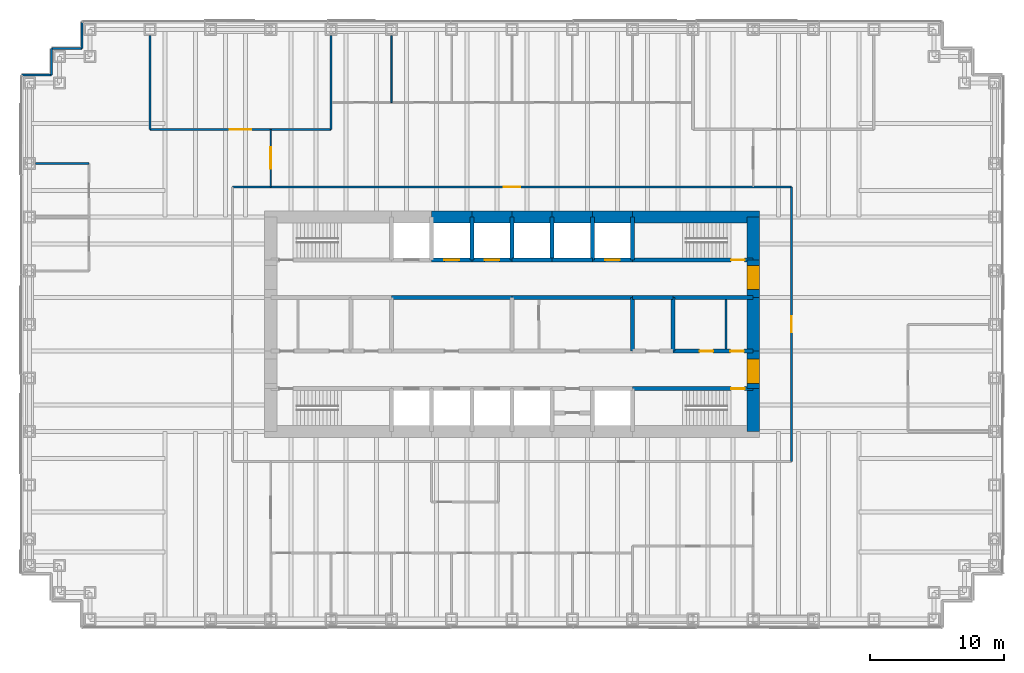
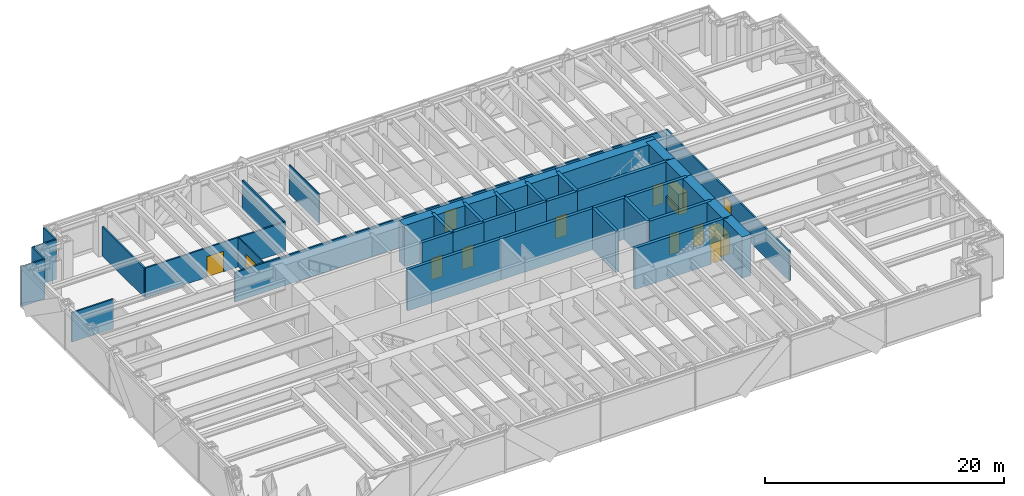
# One storey, part 13 of 15: 43 walls, 13 doors, 13 openings.
"""IFC4 building model written with IfcOpenShell, lengths in metres."""

from ifc_helpers import new_model, si_unit, direction, frame, frame_2d, origin, place, context, subcontext, project, spatial, rectangle, extrude, material, layer, layer_set, type_object, element, fill, save


model = new_model("IFC4")

# Units and contexts
model_context = context("Model", 3, precision=1e-05, world=origin(), true_north=direction((0.0, 1.0)))
body_context = subcontext(model_context, "Body", "Model", "MODEL_VIEW")
ifc_project = project(units=[si_unit("LENGTHUNIT", "METRE"), si_unit("AREAUNIT", "SQUARE_METRE"), si_unit("VOLUMEUNIT", "CUBIC_METRE"), si_unit("PLANEANGLEUNIT", "RADIAN"), si_unit("MASSUNIT", "GRAM", prefix="KILO")], contexts=[model_context])

# Site, building, storey
site_placement = place(None, origin())
site = spatial("IfcSite", under=ifc_project, at=site_placement, CompositionType="ELEMENT")
building_placement = place(site_placement, origin())
building = spatial("IfcBuilding", under=site, at=building_placement, Name="Rheinbord Bourse Tower", CompositionType="ELEMENT")
storey_placement = place(building_placement, frame((0.0, 0.0, 104.699951171875)))
storey = spatial("IfcBuildingStorey", under=building, at=storey_placement, Name="L22", CompositionType="ELEMENT", Elevation=104.699951171875)

# Wall, opening, door
ifc_material_1 = material(Name="Concrete C50/60", Category="concrete")
ifc_layer_1 = layer(ifc_material_1, 0.300048828125)
ifc_layer_set_1 = layer_set([ifc_layer_1], Name="CORE INNER WALL 300")
wall_type_1 = type_object("IfcWallType", Name="CORE INNER WALL 300", PredefinedType="SOLIDWALL", material=ifc_layer_set_1)
wall_1_placement = place(storey_placement, frame((45.0, 19.199951171875, 0.0), z_axis=(0.0, 0.0, 1.0), x_axis=(1.0, 0.0, 0.0)))
wall_1 = element("IfcWall", 1, at=wall_1_placement, inside=storey, type_object=wall_type_1, Name="Core wall A8 L22", PredefinedType="SOLIDWALL", context=body_context, shape_type="SweptSolid", body=[
    extrude(rectangle(XDim=9.0, YDim=0.300048828125, at=frame_2d((4.5, 0.0))), origin(), (0.0, 0.0, 1.0), 4.199951171875),
])
opening_1_placement = place(wall_1_placement, frame((7.35009765625, 0.0, 0.0)))
opening_1 = element("IfcOpeningElement", 2, at=opening_1_placement, cuts=wall_1, Name="Opening 2230", PredefinedType="OPENING", context=body_context, shape_type="SweptSolid", body=[
    extrude(rectangle(XDim=1.0, YDim=2.10009765625, at=frame_2d((0.5, 1.050048828125))), frame((0.0, 0.159912109375, 0.0), z_axis=(0.0, -1.0, 0.0), x_axis=(1.0, 0.0, 0.0)), (0.0, 0.0, 1.0), 0.320068359375),
])
ifc_material_2 = material(Name="Steel door", Category="steel")
door_type_1 = type_object("IfcDoorType", Name="DOOR 1000 EI30", OperationType="SINGLE_SWING_LEFT", PredefinedType="DOOR", material=ifc_material_2)
door_1_placement = place(opening_1_placement, origin())
door_1 = element("IfcDoor", 3, at=door_1_placement, inside=storey, type_object=door_type_1, Name="Stair door ST3 L22", OperationType="SINGLE_SWING_RIGHT", OverallHeight=2.10009765625, OverallWidth=1.0, PredefinedType="DOOR", context=body_context, shape_type="SweptSolid", body=[
    extrude(rectangle(XDim=1.0, YDim=2.10009765625, at=frame_2d((0.5, 1.050048828125))), frame((0.0, 0.02490234375, 0.0), z_axis=(0.0, -1.0, 0.0), x_axis=(1.0, 0.0, 0.0)), (0.0, 0.0, 1.0), 0.050048828125),
])
fill(opening_1, door_1)

wall_2_placement = place(storey_placement, frame((30.0, 28.800048828125, 0.0), z_axis=(0.0, 0.0, 1.0), x_axis=(1.0, 0.0, 0.0)))
wall_2 = element("IfcWall", 4, at=wall_2_placement, inside=storey, type_object=wall_type_1, Name="Core wall B3 L22", PredefinedType="SOLIDWALL", context=body_context, shape_type="SweptSolid", body=[
    extrude(rectangle(XDim=3.0, YDim=0.300048828125, at=frame_2d((1.5, 0.0))), origin(), (0.0, 0.0, 1.0), 4.199951171875),
])
opening_2_placement = place(wall_2_placement, frame((0.949951171875, 0.0, 0.0)))
opening_2 = element("IfcOpeningElement", 5, at=opening_2_placement, cuts=wall_2, Name="Opening PB4", PredefinedType="OPENING", context=body_context, shape_type="SweptSolid", body=[
    extrude(rectangle(XDim=1.10009765625, YDim=2.199951171875, at=frame_2d((0.550048828125, 1.10009765625))), frame((0.0, 0.159912109375, 0.0), z_axis=(0.0, -1.0, 0.0), x_axis=(1.0, 0.0, 0.0)), (0.0, 0.0, 1.0), 0.320068359375),
])
ifc_material_3 = material(Name="Steel landing door", Category="steel")
door_type_2 = type_object("IfcDoorType", Name="LIFT LANDING DOOR 1100", OperationType="DOUBLE_DOOR_SLIDING", PredefinedType="USERDEFINED", material=ifc_material_3)
door_2_placement = place(opening_2_placement, origin())
door_2 = element("IfcDoor", 6, at=door_2_placement, inside=storey, type_object=door_type_2, Name="Lift landing door PB4 L22", ObjectType="LIFT LANDING DOOR", OperationType="DOUBLE_DOOR_SLIDING", OverallHeight=2.199951171875, OverallWidth=1.10009765625, PredefinedType="USERDEFINED", context=body_context, shape_type="SweptSolid", body=[
    extrude(rectangle(XDim=1.10009765625, YDim=2.199951171875, at=frame_2d((0.550048828125, 1.10009765625))), frame((0.0, 0.02490234375, 0.0), z_axis=(0.0, -1.0, 0.0), x_axis=(1.0, 0.0, 0.0)), (0.0, 0.0, 1.0), 0.050048828125),
])
fill(opening_2, door_2)

wall_3_placement = place(storey_placement, frame((33.0, 28.800048828125, 0.0), z_axis=(0.0, 0.0, 1.0), x_axis=(1.0, 0.0, 0.0)))
wall_3 = element("IfcWall", 7, at=wall_3_placement, inside=storey, type_object=wall_type_1, Name="Core wall B4 L22", PredefinedType="SOLIDWALL", context=body_context, shape_type="SweptSolid", body=[
    extrude(rectangle(XDim=3.0, YDim=0.300048828125, at=frame_2d((1.5, 0.0))), origin(), (0.0, 0.0, 1.0), 4.199951171875),
])
opening_3_placement = place(wall_3_placement, frame((0.949951171875, 0.0, 0.0)))
opening_3 = element("IfcOpeningElement", 8, at=opening_3_placement, cuts=wall_3, Name="Opening PB5", PredefinedType="OPENING", context=body_context, shape_type="SweptSolid", body=[
    extrude(rectangle(XDim=1.10009765625, YDim=2.199951171875, at=frame_2d((0.550048828125, 1.10009765625))), frame((0.0, 0.159912109375, 0.0), z_axis=(0.0, -1.0, 0.0), x_axis=(1.0, 0.0, 0.0)), (0.0, 0.0, 1.0), 0.320068359375),
])
door_3_placement = place(opening_3_placement, origin())
door_3 = element("IfcDoor", 9, at=door_3_placement, inside=storey, type_object=door_type_2, Name="Lift landing door PB5 L22", ObjectType="LIFT LANDING DOOR", OperationType="DOUBLE_DOOR_SLIDING", OverallHeight=2.199951171875, OverallWidth=1.10009765625, PredefinedType="USERDEFINED", context=body_context, shape_type="SweptSolid", body=[
    extrude(rectangle(XDim=1.10009765625, YDim=2.199951171875, at=frame_2d((0.550048828125, 1.10009765625))), frame((0.0, 0.02490234375, 0.0), z_axis=(0.0, -1.0, 0.0), x_axis=(1.0, 0.0, 0.0)), (0.0, 0.0, 1.0), 0.050048828125),
])
fill(opening_3, door_3)

# Walls
for number, where, z_axis, x_axis, name in (
    (10, (36.0, 28.800048828125, 0.0), (0.0, 0.0, 1.0), (1.0, 0.0, 0.0), "Core wall B5 L22"),
    (11, (39.0, 28.800048828125, 0.0), (0.0, 0.0, 1.0), (1.0, 0.0, 0.0), "Core wall B6 L22"),
):
    element("IfcWall", number, at=place(storey_placement, frame(where, z_axis=z_axis, x_axis=x_axis)), inside=storey, type_object=wall_type_1, Name=name, PredefinedType="SOLIDWALL", context=body_context, shape_type="SweptSolid", body=[
        extrude(rectangle(XDim=3.0, YDim=0.300048828125, at=frame_2d((1.5, 0.0))), origin(), (0.0, 0.0, 1.0), 4.199951171875),
    ])

# Wall, opening, door
wall_4_placement = place(storey_placement, frame((42.0, 28.800048828125, 0.0), z_axis=(0.0, 0.0, 1.0), x_axis=(1.0, 0.0, 0.0)))
wall_4 = element("IfcWall", 12, at=wall_4_placement, inside=storey, type_object=wall_type_1, Name="Core wall B7 L22", PredefinedType="SOLIDWALL", context=body_context, shape_type="SweptSolid", body=[
    extrude(rectangle(XDim=3.0, YDim=0.300048828125, at=frame_2d((1.5, 0.0))), origin(), (0.0, 0.0, 1.0), 4.199951171875),
])
opening_4_placement = place(wall_4_placement, frame((0.949951171875, 0.0, 0.0)))
opening_4 = element("IfcOpeningElement", 13, at=opening_4_placement, cuts=wall_4, Name="Opening FL2", PredefinedType="OPENING", context=body_context, shape_type="SweptSolid", body=[
    extrude(rectangle(XDim=1.10009765625, YDim=2.199951171875, at=frame_2d((0.550048828125, 1.10009765625))), frame((0.0, 0.159912109375, 0.0), z_axis=(0.0, -1.0, 0.0), x_axis=(1.0, 0.0, 0.0)), (0.0, 0.0, 1.0), 0.320068359375),
])
door_4_placement = place(opening_4_placement, origin())
door_4 = element("IfcDoor", 14, at=door_4_placement, inside=storey, type_object=door_type_2, Name="Lift landing door FL2 L22", ObjectType="LIFT LANDING DOOR", OperationType="DOUBLE_DOOR_SLIDING", OverallHeight=2.199951171875, OverallWidth=1.10009765625, PredefinedType="USERDEFINED", context=body_context, shape_type="SweptSolid", body=[
    extrude(rectangle(XDim=1.10009765625, YDim=2.199951171875, at=frame_2d((0.550048828125, 1.10009765625))), frame((0.0, 0.02490234375, 0.0), z_axis=(0.0, -1.0, 0.0), x_axis=(1.0, 0.0, 0.0)), (0.0, 0.0, 1.0), 0.050048828125),
])
fill(opening_4, door_4)

wall_5_placement = place(storey_placement, frame((45.0, 28.800048828125, 0.0), z_axis=(0.0, 0.0, 1.0), x_axis=(1.0, 0.0, 0.0)))
wall_5 = element("IfcWall", 15, at=wall_5_placement, inside=storey, type_object=wall_type_1, Name="Core wall B8 L22", PredefinedType="SOLIDWALL", context=body_context, shape_type="SweptSolid", body=[
    extrude(rectangle(XDim=9.0, YDim=0.300048828125, at=frame_2d((4.5, 0.0))), origin(), (0.0, 0.0, 1.0), 4.199951171875),
])
opening_5_placement = place(wall_5_placement, frame((7.35009765625, 0.0, 0.0)))
opening_5 = element("IfcOpeningElement", 16, at=opening_5_placement, cuts=wall_5, Name="Opening 2240", PredefinedType="OPENING", context=body_context, shape_type="SweptSolid", body=[
    extrude(rectangle(XDim=1.0, YDim=2.10009765625, at=frame_2d((0.5, 1.050048828125))), frame((0.0, 0.159912109375, 0.0), z_axis=(0.0, -1.0, 0.0), x_axis=(1.0, 0.0, 0.0)), (0.0, 0.0, 1.0), 0.320068359375),
])
door_5_placement = place(opening_5_placement, origin())
door_5 = element("IfcDoor", 17, at=door_5_placement, inside=storey, type_object=door_type_1, Name="Stair door ST4 L22", OperationType="SINGLE_SWING_RIGHT", OverallHeight=2.10009765625, OverallWidth=1.0, PredefinedType="DOOR", context=body_context, shape_type="SweptSolid", body=[
    extrude(rectangle(XDim=1.0, YDim=2.10009765625, at=frame_2d((0.5, 1.050048828125))), frame((0.0, 0.02490234375, 0.0), z_axis=(0.0, -1.0, 0.0), x_axis=(1.0, 0.0, 0.0)), (0.0, 0.0, 1.0), 0.050048828125),
])
fill(opening_5, door_5)

# Wall, openings, doors
wall_6_placement = place(storey_placement, frame((48.0, 22.0, 0.0), z_axis=(0.0, 0.0, 1.0), x_axis=(1.0, 0.0, 0.0)))
wall_6 = element("IfcWall", 18, at=wall_6_placement, inside=storey, type_object=wall_type_1, Name="Core wall C6 L22", PredefinedType="SOLIDWALL", context=body_context, shape_type="SweptSolid", body=[
    extrude(rectangle(XDim=6.0, YDim=0.300048828125, at=frame_2d((3.0, 0.0))), origin(), (0.0, 0.0, 1.0), 4.199951171875),
])
opening_6_placement = place(wall_6_placement, frame((2.0, 0.0, 0.0)))
opening_6 = element("IfcOpeningElement", 19, at=opening_6_placement, cuts=wall_6, Name="Opening 22R6", PredefinedType="OPENING", context=body_context, shape_type="SweptSolid", body=[
    extrude(rectangle(XDim=1.0, YDim=2.10009765625, at=frame_2d((0.5, 1.050048828125))), frame((0.0, 0.159912109375, 0.0), z_axis=(0.0, -1.0, 0.0), x_axis=(1.0, 0.0, 0.0)), (0.0, 0.0, 1.0), 0.320068359375),
])
opening_7_placement = place(wall_6_placement, frame((4.300048828125, 0.0, 0.0)))
opening_7 = element("IfcOpeningElement", 20, at=opening_7_placement, cuts=wall_6, Name="Opening 22R10", PredefinedType="OPENING", context=body_context, shape_type="SweptSolid", body=[
    extrude(rectangle(XDim=1.0, YDim=2.10009765625, at=frame_2d((0.5, 1.050048828125))), frame((0.0, 0.159912109375, 0.0), z_axis=(0.0, -1.0, 0.0), x_axis=(1.0, 0.0, 0.0)), (0.0, 0.0, 1.0), 0.320068359375),
])
door_6_placement = place(opening_7_placement, origin())
door_6 = element("IfcDoor", 21, at=door_6_placement, inside=storey, type_object=door_type_1, Name="Cleaner's store door L22", OperationType="SINGLE_SWING_RIGHT", OverallHeight=2.10009765625, OverallWidth=1.0, PredefinedType="DOOR", context=body_context, shape_type="SweptSolid", body=[
    extrude(rectangle(XDim=1.0, YDim=2.10009765625, at=frame_2d((0.5, 1.050048828125))), frame((0.0, 0.02490234375, 0.0), z_axis=(0.0, -1.0, 0.0), x_axis=(1.0, 0.0, 0.0)), (0.0, 0.0, 1.0), 0.050048828125),
])
fill(opening_7, door_6)
ifc_material_4 = material(Name="Timber door", Category="wood")
door_type_3 = type_object("IfcDoorType", Name="DOOR 1000 WC", OperationType="SINGLE_SWING_LEFT", PredefinedType="DOOR", material=ifc_material_4)
door_7_placement = place(opening_6_placement, origin())
door_7 = element("IfcDoor", 22, at=door_7_placement, inside=storey, type_object=door_type_3, Name="WC women door L22", OperationType="SINGLE_SWING_LEFT", OverallHeight=2.10009765625, OverallWidth=1.0, PredefinedType="DOOR", context=body_context, shape_type="SweptSolid", body=[
    extrude(rectangle(XDim=1.0, YDim=2.10009765625, at=frame_2d((0.5, 1.050048828125))), frame((0.0, 0.02490234375, 0.0), z_axis=(0.0, -1.0, 0.0), x_axis=(1.0, 0.0, 0.0)), (0.0, 0.0, 1.0), 0.050048828125),
])
fill(opening_6, door_7)

# Walls
for number, where, z_axis, x_axis, name in (
    (23, (27.0, 26.0, 0.0), (0.0, 0.0, 1.0), (1.0, 0.0, 0.0), "Core wall D3 L22"),
    (24, (36.0, 26.0, 0.0), (0.0, 0.0, 1.0), (1.0, 0.0, 0.0), "Core wall D4 L22"),
):
    element("IfcWall", number, at=place(storey_placement, frame(where, z_axis=z_axis, x_axis=x_axis)), inside=storey, type_object=wall_type_1, Name=name, PredefinedType="SOLIDWALL", context=body_context, shape_type="SweptSolid", body=[
        extrude(rectangle(XDim=9.0, YDim=0.300048828125, at=frame_2d((4.5, 0.0))), origin(), (0.0, 0.0, 1.0), 4.199951171875),
    ])
wall_7_placement = place(storey_placement, frame((45.0, 26.0, 0.0), z_axis=(0.0, 0.0, 1.0), x_axis=(1.0, 0.0, 0.0)))
element("IfcWall", 25, at=wall_7_placement, inside=storey, type_object=wall_type_1, Name="Core wall D5 L22", PredefinedType="SOLIDWALL", context=body_context, shape_type="SweptSolid", body=[
    extrude(rectangle(XDim=3.0, YDim=0.300048828125, at=frame_2d((1.5, 0.0))), origin(), (0.0, 0.0, 1.0), 4.199951171875),
])
wall_8_placement = place(storey_placement, frame((48.0, 26.0, 0.0), z_axis=(0.0, 0.0, 1.0), x_axis=(1.0, 0.0, 0.0)))
element("IfcWall", 26, at=wall_8_placement, inside=storey, type_object=wall_type_1, Name="Core wall D6 L22", PredefinedType="SOLIDWALL", context=body_context, shape_type="SweptSolid", body=[
    extrude(rectangle(XDim=6.0, YDim=0.300048828125, at=frame_2d((3.0, 0.0))), origin(), (0.0, 0.0, 1.0), 4.199951171875),
])
for number, where, z_axis, x_axis, name in (
    (27, (33.0, 28.800048828125, 0.0), (0.0, 0.0, 1.0), (0.0, 1.0, 0.0), "Core wall NX33 L22"),
    (28, (36.0, 28.800048828125, 0.0), (0.0, 0.0, 1.0), (0.0, 1.0, 0.0), "Core wall NX36 L22"),
    (29, (39.0, 28.800048828125, 0.0), (0.0, 0.0, 1.0), (0.0, 1.0, 0.0), "Core wall NX39 L22"),
    (30, (42.0, 28.800048828125, 0.0), (0.0, 0.0, 1.0), (0.0, 1.0, 0.0), "Core wall NX42 L22"),
    (31, (45.0, 28.800048828125, 0.0), (0.0, 0.0, 1.0), (0.0, 1.0, 0.0), "Core wall NX45 L22"),
):
    element("IfcWall", number, at=place(storey_placement, frame(where, z_axis=z_axis, x_axis=x_axis)), inside=storey, type_object=wall_type_1, Name=name, PredefinedType="SOLIDWALL", context=body_context, shape_type="SweptSolid", body=[
        extrude(rectangle(XDim=3.199951171875, YDim=0.300048828125, at=frame_2d((1.60009765625, 0.0))), origin(), (0.0, 0.0, 1.0), 4.199951171875),
    ])
for number, where, z_axis, x_axis, name in (
    (32, (45.0, 22.0, 0.0), (0.0, 0.0, 1.0), (0.0, 1.0, 0.0), "Core wall MX45 L22"),
    (33, (48.0, 22.0, 0.0), (0.0, 0.0, 1.0), (0.0, 1.0, 0.0), "Core wall MX48 L22"),
):
    element("IfcWall", number, at=place(storey_placement, frame(where, z_axis=z_axis, x_axis=x_axis)), inside=storey, type_object=wall_type_1, Name=name, PredefinedType="SOLIDWALL", context=body_context, shape_type="SweptSolid", body=[
        extrude(rectangle(XDim=4.0, YDim=0.300048828125, at=frame_2d((2.0, 0.0))), origin(), (0.0, 0.0, 1.0), 4.199951171875),
    ])
ifc_material_5 = material(Name="Gypsum board fire partition", Category="gypsum board")
ifc_layer_2 = layer(ifc_material_5, 0.14990234375)
ifc_layer_set_2 = layer_set([ifc_layer_2], Name="CORE PARTITION 150 EI30")
wall_type_2 = type_object("IfcWallType", Name="CORE PARTITION 150 EI30", PredefinedType="PARTITIONING", material=ifc_layer_set_2)
wall_9_placement = place(storey_placement, frame((51.97509765625, 22.14990234375, 0.0), z_axis=(0.0, 0.0, 1.0), x_axis=(0.0, 1.0, 0.0)))
element("IfcWall", 34, at=wall_9_placement, inside=storey, type_object=wall_type_2, Name="Core partition L22-3", PredefinedType="PARTITIONING", context=body_context, shape_type="SweptSolid", body=[
    extrude(rectangle(XDim=3.7001953125, YDim=0.14990234375, at=frame_2d((1.85009765625, 0.0))), origin(), (0.0, 0.0, 1.0), 3.0),
])
ifc_material_6 = material(Name="Concrete C50/60", Category="concrete")
ifc_layer_3 = layer(ifc_material_6, 0.89990234375)
ifc_layer_set_3 = layer_set([ifc_layer_3], Name="CORE WALL 900")
wall_type_3 = type_object("IfcWallType", Name="CORE WALL 900", PredefinedType="SHEAR", material=ifc_layer_set_3)
wall_10_placement = place(storey_placement, frame((54.449951171875, 32.0, 0.0), z_axis=(0.0, 0.0, 1.0), x_axis=(-1.0, 0.0, 0.0)))
element("IfcWall", 35, at=wall_10_placement, inside=storey, type_object=wall_type_3, Name="Core wall N1 L22", PredefinedType="SHEAR", context=body_context, shape_type="SweptSolid", body=[
    extrude(rectangle(XDim=9.449951171875, YDim=0.89990234375, at=frame_2d((4.72509765625, 0.0))), origin(), (0.0, 0.0, 1.0), 4.199951171875),
])
for number, where, z_axis, x_axis, name in (
    (36, (45.0, 32.0, 0.0), (0.0, 0.0, 1.0), (-1.0, 0.0, 0.0), "Core wall N2 L22"),
    (37, (42.0, 32.0, 0.0), (0.0, 0.0, 1.0), (-1.0, 0.0, 0.0), "Core wall N3 L22"),
    (38, (39.0, 32.0, 0.0), (0.0, 0.0, 1.0), (-1.0, 0.0, 0.0), "Core wall N4 L22"),
    (39, (36.0, 32.0, 0.0), (0.0, 0.0, 1.0), (-1.0, 0.0, 0.0), "Core wall N5 L22"),
    (40, (33.0, 32.0, 0.0), (0.0, 0.0, 1.0), (-1.0, 0.0, 0.0), "Core wall N6 L22"),
):
    element("IfcWall", number, at=place(storey_placement, frame(where, z_axis=z_axis, x_axis=x_axis)), inside=storey, type_object=wall_type_3, Name=name, PredefinedType="SHEAR", context=body_context, shape_type="SweptSolid", body=[
        extrude(rectangle(XDim=3.0, YDim=0.89990234375, at=frame_2d((1.5, 0.0))), origin(), (0.0, 0.0, 1.0), 4.199951171875),
    ])
wall_11_placement = place(storey_placement, frame((54.0, 16.0, 0.0), z_axis=(0.0, 0.0, 1.0), x_axis=(0.0, 1.0, 0.0)))
element("IfcWall", 41, at=wall_11_placement, inside=storey, type_object=wall_type_3, Name="Core wall E1 L22", PredefinedType="SHEAR", context=body_context, shape_type="SweptSolid", body=[
    extrude(rectangle(XDim=3.199951171875, YDim=0.89990234375, at=frame_2d((1.60009765625, 0.0))), origin(), (0.0, 0.0, 1.0), 4.199951171875),
])

# Wall, opening, door
wall_12_placement = place(storey_placement, frame((54.0, 19.199951171875, 0.0), z_axis=(0.0, 0.0, 1.0), x_axis=(0.0, 1.0, 0.0)))
wall_12 = element("IfcWall", 42, at=wall_12_placement, inside=storey, type_object=wall_type_3, Name="Core wall E2 L22", PredefinedType="SHEAR", context=body_context, shape_type="SweptSolid", body=[
    extrude(rectangle(XDim=2.800048828125, YDim=0.89990234375, at=frame_2d((1.39990234375, 0.0))), origin(), (0.0, 0.0, 1.0), 4.199951171875),
])
opening_8_placement = place(wall_12_placement, frame((0.39990234375, 0.0, 0.0)))
opening_8 = element("IfcOpeningElement", 43, at=opening_8_placement, cuts=wall_12, Name="Opening 22L3", PredefinedType="OPENING", context=body_context, shape_type="SweptSolid", body=[
    extrude(rectangle(XDim=1.800048828125, YDim=2.10009765625, at=frame_2d((0.89990234375, 1.050048828125))), frame((0.0, 0.4599609375, 0.0), z_axis=(0.0, -1.0, 0.0), x_axis=(1.0, 0.0, 0.0)), (0.0, 0.0, 1.0), 0.919921875),
])
ifc_material_7 = material(Name="Steel door", Category="steel")
door_type_4 = type_object("IfcDoorType", Name="DOOR 1800 EI30 DOUBLE", OperationType="DOUBLE_DOOR_DOUBLE_SWING", PredefinedType="DOOR", material=ifc_material_7)
door_8_placement = place(opening_8_placement, origin())
door_8 = element("IfcDoor", 44, at=door_8_placement, inside=storey, type_object=door_type_4, Name="Lobby door 3 L22", OperationType="SINGLE_SWING_LEFT", OverallHeight=2.10009765625, OverallWidth=1.800048828125, PredefinedType="DOOR", context=body_context, shape_type="SweptSolid", body=[
    extrude(rectangle(XDim=1.800048828125, YDim=2.10009765625, at=frame_2d((0.89990234375, 1.050048828125))), frame((0.0, 0.44970703125, 0.0), z_axis=(0.0, -1.0, 0.0), x_axis=(1.0, 0.0, 0.0)), (0.0, 0.0, 1.0), 0.8994140625),
])
fill(opening_8, door_8)

# Wall
wall_13_placement = place(storey_placement, frame((54.0, 22.0, 0.0), z_axis=(0.0, 0.0, 1.0), x_axis=(0.0, 1.0, 0.0)))
element("IfcWall", 45, at=wall_13_placement, inside=storey, type_object=wall_type_3, Name="Core wall E3 L22", PredefinedType="SHEAR", context=body_context, shape_type="SweptSolid", body=[
    extrude(rectangle(XDim=4.0, YDim=0.89990234375, at=frame_2d((2.0, 0.0))), origin(), (0.0, 0.0, 1.0), 4.199951171875),
])

# Wall, opening, door
wall_14_placement = place(storey_placement, frame((54.0, 26.0, 0.0), z_axis=(0.0, 0.0, 1.0), x_axis=(0.0, 1.0, 0.0)))
wall_14 = element("IfcWall", 46, at=wall_14_placement, inside=storey, type_object=wall_type_3, Name="Core wall E4 L22", PredefinedType="SHEAR", context=body_context, shape_type="SweptSolid", body=[
    extrude(rectangle(XDim=2.800048828125, YDim=0.89990234375, at=frame_2d((1.39990234375, 0.0))), origin(), (0.0, 0.0, 1.0), 4.199951171875),
])
opening_9_placement = place(wall_14_placement, frame((0.60009765625, 0.0, 0.0)))
opening_9 = element("IfcOpeningElement", 47, at=opening_9_placement, cuts=wall_14, Name="Opening 22L4", PredefinedType="OPENING", context=body_context, shape_type="SweptSolid", body=[
    extrude(rectangle(XDim=1.800048828125, YDim=2.10009765625, at=frame_2d((0.89990234375, 1.050048828125))), frame((0.0, 0.4599609375, 0.0), z_axis=(0.0, -1.0, 0.0), x_axis=(1.0, 0.0, 0.0)), (0.0, 0.0, 1.0), 0.919921875),
])
door_9_placement = place(opening_9_placement, origin())
door_9 = element("IfcDoor", 48, at=door_9_placement, inside=storey, type_object=door_type_4, Name="Lobby door 4 L22", OperationType="SINGLE_SWING_LEFT", OverallHeight=2.10009765625, OverallWidth=1.800048828125, PredefinedType="DOOR", context=body_context, shape_type="SweptSolid", body=[
    extrude(rectangle(XDim=1.800048828125, YDim=2.10009765625, at=frame_2d((0.89990234375, 1.050048828125))), frame((0.0, 0.44970703125, 0.0), z_axis=(0.0, -1.0, 0.0), x_axis=(1.0, 0.0, 0.0)), (0.0, 0.0, 1.0), 0.8994140625),
])
fill(opening_9, door_9)

# Walls
wall_15_placement = place(storey_placement, frame((54.0, 28.800048828125, 0.0), z_axis=(0.0, 0.0, 1.0), x_axis=(0.0, 1.0, 0.0)))
element("IfcWall", 49, at=wall_15_placement, inside=storey, type_object=wall_type_3, Name="Core wall E5 L22", PredefinedType="SHEAR", context=body_context, shape_type="SweptSolid", body=[
    extrude(rectangle(XDim=3.199951171875, YDim=0.89990234375, at=frame_2d((1.60009765625, 0.0))), origin(), (0.0, 0.0, 1.0), 4.199951171875),
])
ifc_material_8 = material(Name="Black metal rainscreen panel", Category="aluminium")
ifc_layer_4 = layer(ifc_material_8, 0.14990234375)
ifc_layer_set_4 = layer_set([ifc_layer_4], Name="CORNER PIER CLADDING 150")
wall_type_4 = type_object("IfcWallType", Name="CORNER PIER CLADDING 150", PredefinedType="ELEMENTEDWALL", material=ifc_layer_set_4)
wall_16_placement = place(storey_placement, frame((3.89990234375, 46.60009765625, 0.0), z_axis=(0.0, 0.0, 1.0), x_axis=(0.0, -1.0, 0.0)))
element("IfcWall", 50, at=wall_16_placement, inside=storey, type_object=wall_type_4, Name="Corner pier cladding L22 12", PredefinedType="ELEMENTEDWALL", context=body_context, shape_type="SweptSolid", body=[
    extrude(rectangle(XDim=2.0, YDim=0.14990234375, at=frame_2d((1.0, 0.0))), origin(), (0.0, 0.0, 1.0), 4.0400390625),
])
wall_17_placement = place(storey_placement, frame((3.89990234375, 44.60009765625, 0.0), z_axis=(0.0, 0.0, 1.0), x_axis=(-1.0, 0.0, 0.0)))
element("IfcWall", 51, at=wall_17_placement, inside=storey, type_object=wall_type_4, Name="Corner pier cladding L22 13", PredefinedType="ELEMENTEDWALL", context=body_context, shape_type="SweptSolid", body=[
    extrude(rectangle(XDim=2.25, YDim=0.14990234375, at=frame_2d((1.125, 0.0))), origin(), (0.0, 0.0, 1.0), 4.0400390625),
])
wall_18_placement = place(storey_placement, frame((1.64990234375, 44.60009765625, 0.0), z_axis=(0.0, 0.0, 1.0), x_axis=(0.0, -1.0, 0.0)))
element("IfcWall", 52, at=wall_18_placement, inside=storey, type_object=wall_type_4, Name="Corner pier cladding L22 14", PredefinedType="ELEMENTEDWALL", context=body_context, shape_type="SweptSolid", body=[
    extrude(rectangle(XDim=2.0, YDim=0.14990234375, at=frame_2d((1.0, 0.0))), origin(), (0.0, 0.0, 1.0), 4.0400390625),
])
wall_19_placement = place(storey_placement, frame((1.64990234375, 42.60009765625, 0.0), z_axis=(0.0, 0.0, 1.0), x_axis=(-1.0, 0.0, 0.0)))
element("IfcWall", 53, at=wall_19_placement, inside=storey, type_object=wall_type_4, Name="Corner pier cladding L22 15", PredefinedType="ELEMENTEDWALL", context=body_context, shape_type="SweptSolid", body=[
    extrude(rectangle(XDim=2.25, YDim=0.14990234375, at=frame_2d((1.125, 0.0))), origin(), (0.0, 0.0, 1.0), 4.0400390625),
])

# Wall, opening, door
ifc_material_9 = material(Name="Gypsum board corridor partition", Category="gypsum board")
ifc_layer_5 = layer(ifc_material_9, 0.14990234375)
ifc_layer_set_5 = layer_set([ifc_layer_5], Name="CORRIDOR PARTITION 150 EI30")
wall_type_5 = type_object("IfcWallType", Name="CORRIDOR PARTITION 150 EI30", PredefinedType="PARTITIONING", material=ifc_layer_set_5)
wall_20_placement = place(storey_placement, frame((15.14990234375, 34.25, 0.0), z_axis=(0.0, 0.0, 1.0), x_axis=(1.0, 0.0, 0.0)))
wall_20 = element("IfcWall", 54, at=wall_20_placement, inside=storey, type_object=wall_type_5, Name="Partition L22-11", PredefinedType="PARTITIONING", context=body_context, shape_type="SweptSolid", body=[
    extrude(rectangle(XDim=41.7001953125, YDim=0.14990234375, at=frame_2d((20.85009765625, 0.0))), origin(), (0.0, 0.0, 1.0), 3.0),
])
opening_10_placement = place(wall_20_placement, frame((20.25, 0.0, 0.0)))
opening_10 = element("IfcOpeningElement", 55, at=opening_10_placement, cuts=wall_20, Name="Opening 22D27", PredefinedType="OPENING", context=body_context, shape_type="SweptSolid", body=[
    extrude(rectangle(XDim=1.199951171875, YDim=2.10009765625, at=frame_2d((0.60009765625, 1.050048828125))), frame((0.0, 0.0849609375, 0.0), z_axis=(0.0, -1.0, 0.0), x_axis=(1.0, 0.0, 0.0)), (0.0, 0.0, 1.0), 0.169921875),
])
ifc_material_10 = material(Name="Timber fire door", Category="wood")
door_type_5 = type_object("IfcDoorType", Name="SUITE ENTRANCE DOOR 1200 EI30", OperationType="SINGLE_SWING_LEFT", PredefinedType="DOOR", material=ifc_material_10)
door_10_placement = place(opening_10_placement, origin())
door_10 = element("IfcDoor", 56, at=door_10_placement, inside=storey, type_object=door_type_5, Name="Suite entrance 4 door L22", OperationType="SINGLE_SWING_LEFT", OverallHeight=2.10009765625, OverallWidth=1.199951171875, PredefinedType="DOOR", context=body_context, shape_type="SweptSolid", body=[
    extrude(rectangle(XDim=1.199951171875, YDim=2.10009765625, at=frame_2d((0.60009765625, 1.050048828125))), frame((0.0, 0.02490234375, 0.0), z_axis=(0.0, -1.0, 0.0), x_axis=(1.0, 0.0, 0.0)), (0.0, 0.0, 1.0), 0.050048828125),
])
fill(opening_10, door_10)

wall_21_placement = place(storey_placement, frame((56.85009765625, 13.75, 0.0), z_axis=(0.0, 0.0, 1.0), x_axis=(0.0, 1.0, 0.0)))
wall_21 = element("IfcWall", 57, at=wall_21_placement, inside=storey, type_object=wall_type_5, Name="Partition L22-40", PredefinedType="PARTITIONING", context=body_context, shape_type="SweptSolid", body=[
    extrude(rectangle(XDim=20.5, YDim=0.14990234375, at=frame_2d((10.25, 0.0))), origin(), (0.0, 0.0, 1.0), 3.0),
])
opening_11_placement = place(wall_21_placement, frame((9.64990234375, 0.0, 0.0)))
opening_11 = element("IfcOpeningElement", 58, at=opening_11_placement, cuts=wall_21, Name="Opening 22D25", PredefinedType="OPENING", context=body_context, shape_type="SweptSolid", body=[
    extrude(rectangle(XDim=1.199951171875, YDim=2.10009765625, at=frame_2d((0.60009765625, 1.050048828125))), frame((0.0, 0.0849609375, 0.0), z_axis=(0.0, -1.0, 0.0), x_axis=(1.0, 0.0, 0.0)), (0.0, 0.0, 1.0), 0.169921875),
])
door_11_placement = place(opening_11_placement, origin())
door_11 = element("IfcDoor", 59, at=door_11_placement, inside=storey, type_object=door_type_5, Name="Suite entrance 2 door L22", OperationType="SINGLE_SWING_LEFT", OverallHeight=2.10009765625, OverallWidth=1.199951171875, PredefinedType="DOOR", context=body_context, shape_type="SweptSolid", body=[
    extrude(rectangle(XDim=1.199951171875, YDim=2.10009765625, at=frame_2d((0.60009765625, 1.050048828125))), frame((0.0, 0.02490234375, 0.0), z_axis=(0.0, -1.0, 0.0), x_axis=(1.0, 0.0, 0.0)), (0.0, 0.0, 1.0), 0.050048828125),
])
fill(opening_11, door_11)

ifc_material_11 = material(Name="Toughened laminated glass partition", Category="glass")
ifc_layer_6 = layer(ifc_material_11, 0.10009765625)
ifc_layer_set_6 = layer_set([ifc_layer_6], Name="GLAZED PARTITION 100")
wall_type_6 = type_object("IfcWallType", Name="GLAZED PARTITION 100", PredefinedType="PARTITIONING", material=ifc_layer_set_6)
wall_22_placement = place(storey_placement, frame((18.0, 34.25, 0.0), z_axis=(0.0, 0.0, 1.0), x_axis=(0.0, 1.0, 0.0)))
wall_22 = element("IfcWall", 60, at=wall_22_placement, inside=storey, type_object=wall_type_6, Name="Partition L22-21", PredefinedType="PARTITIONING", context=body_context, shape_type="SweptSolid", body=[
    extrude(rectangle(XDim=4.300048828125, YDim=0.10009765625, at=frame_2d((2.14990234375, 0.0))), origin(), (0.0, 0.0, 1.0), 3.0),
])
opening_12_placement = place(wall_22_placement, frame((1.35009765625, 0.0, 0.0)))
opening_12 = element("IfcOpeningElement", 61, at=opening_12_placement, cuts=wall_22, Name="Opening 22D21", PredefinedType="OPENING", context=body_context, shape_type="SweptSolid", body=[
    extrude(rectangle(XDim=1.60009765625, YDim=2.10009765625, at=frame_2d((0.800048828125, 1.050048828125))), frame((0.0, 0.06005859375, 0.0), z_axis=(0.0, -1.0, 0.0), x_axis=(1.0, 0.0, 0.0)), (0.0, 0.0, 1.0), 0.1201171875),
])
ifc_material_12 = material(Name="Timber door", Category="wood")
door_type_6 = type_object("IfcDoorType", Name="DOUBLE ROOM DOOR 1600", OperationType="DOUBLE_DOOR_DOUBLE_SWING", PredefinedType="DOOR", material=ifc_material_12)
door_12_placement = place(opening_12_placement, origin())
door_12 = element("IfcDoor", 62, at=door_12_placement, inside=storey, type_object=door_type_6, Name="Open area door L22", OperationType="SINGLE_SWING_LEFT", OverallHeight=2.10009765625, OverallWidth=1.60009765625, PredefinedType="DOOR", context=body_context, shape_type="SweptSolid", body=[
    extrude(rectangle(XDim=1.60009765625, YDim=2.10009765625, at=frame_2d((0.800048828125, 1.050048828125))), frame((0.0, 0.02490234375, 0.0), z_axis=(0.0, -1.0, 0.0), x_axis=(1.0, 0.0, 0.0)), (0.0, 0.0, 1.0), 0.050048828125),
])
fill(opening_12, door_12)

# Walls
wall_23_placement = place(storey_placement, frame((27.0, 40.550048828125, 0.0), z_axis=(0.0, 0.0, 1.0), x_axis=(0.0, 1.0, 0.0)))
element("IfcWall", 63, at=wall_23_placement, inside=storey, type_object=wall_type_6, Name="Partition L22-25", PredefinedType="PARTITIONING", context=body_context, shape_type="SweptSolid", body=[
    extrude(rectangle(XDim=5.0, YDim=0.10009765625, at=frame_2d((2.5, 0.0))), origin(), (0.0, 0.0, 1.0), 3.0),
])
ifc_material_13 = material(Name="Gypsum board partition", Category="gypsum board")
ifc_layer_7 = layer(ifc_material_13, 0.14990234375)
ifc_layer_set_7 = layer_set([ifc_layer_7], Name="PARTITION 150")
wall_type_7 = type_object("IfcWallType", Name="PARTITION 150", PredefinedType="PARTITIONING", material=ifc_layer_set_7)
wall_24_placement = place(storey_placement, frame((0.449951171875, 36.0, 0.0), z_axis=(0.0, 0.0, 1.0), x_axis=(1.0, 0.0, 0.0)))
element("IfcWall", 64, at=wall_24_placement, inside=storey, type_object=wall_type_7, Name="Partition L22-12", PredefinedType="PARTITIONING", context=body_context, shape_type="SweptSolid", body=[
    extrude(rectangle(XDim=4.0, YDim=0.14990234375, at=frame_2d((2.0, 0.0))), origin(), (0.0, 0.0, 1.0), 3.0),
])

# Wall, opening, door
wall_25_placement = place(storey_placement, frame((9.0, 38.550048828125, 0.0), z_axis=(0.0, 0.0, 1.0), x_axis=(1.0, 0.0, 0.0)))
wall_25 = element("IfcWall", 65, at=wall_25_placement, inside=storey, type_object=wall_type_7, Name="Partition L22-13", PredefinedType="PARTITIONING", context=body_context, shape_type="SweptSolid", body=[
    extrude(rectangle(XDim=13.5, YDim=0.14990234375, at=frame_2d((6.75, 0.0))), origin(), (0.0, 0.0, 1.0), 3.0),
])
opening_13_placement = place(wall_25_placement, frame((5.949951171875, 0.0, 0.0)))
opening_13 = element("IfcOpeningElement", 66, at=opening_13_placement, cuts=wall_25, Name="Opening 22D12", PredefinedType="OPENING", context=body_context, shape_type="SweptSolid", body=[
    extrude(rectangle(XDim=1.60009765625, YDim=2.10009765625, at=frame_2d((0.800048828125, 1.050048828125))), frame((0.0, 0.0849609375, 0.0), z_axis=(0.0, -1.0, 0.0), x_axis=(1.0, 0.0, 0.0)), (0.0, 0.0, 1.0), 0.169921875),
])
door_13_placement = place(opening_13_placement, origin())
door_13 = element("IfcDoor", 67, at=door_13_placement, inside=storey, type_object=door_type_6, Name="Issuer lounge door L22", OperationType="SINGLE_SWING_LEFT", OverallHeight=2.10009765625, OverallWidth=1.60009765625, PredefinedType="DOOR", context=body_context, shape_type="SweptSolid", body=[
    extrude(rectangle(XDim=1.60009765625, YDim=2.10009765625, at=frame_2d((0.800048828125, 1.050048828125))), frame((0.0, 0.02490234375, 0.0), z_axis=(0.0, -1.0, 0.0), x_axis=(1.0, 0.0, 0.0)), (0.0, 0.0, 1.0), 0.050048828125),
])
fill(opening_13, door_13)

# Walls
for number, where, z_axis, x_axis, name in (
    (68, (9.0, 38.550048828125, 0.0), (0.0, 0.0, 1.0), (0.0, 1.0, 0.0), "Partition L22-17"),
    (69, (22.5, 38.550048828125, 0.0), (0.0, 0.0, 1.0), (0.0, 1.0, 0.0), "Partition L22-23"),
):
    element("IfcWall", number, at=place(storey_placement, frame(where, z_axis=z_axis, x_axis=x_axis)), inside=storey, type_object=wall_type_7, Name=name, PredefinedType="PARTITIONING", context=body_context, shape_type="SweptSolid", body=[
        extrude(rectangle(XDim=7.0, YDim=0.14990234375, at=frame_2d((3.5, 0.0))), origin(), (0.0, 0.0, 1.0), 3.0),
    ])

save(model, "model.ifc")
